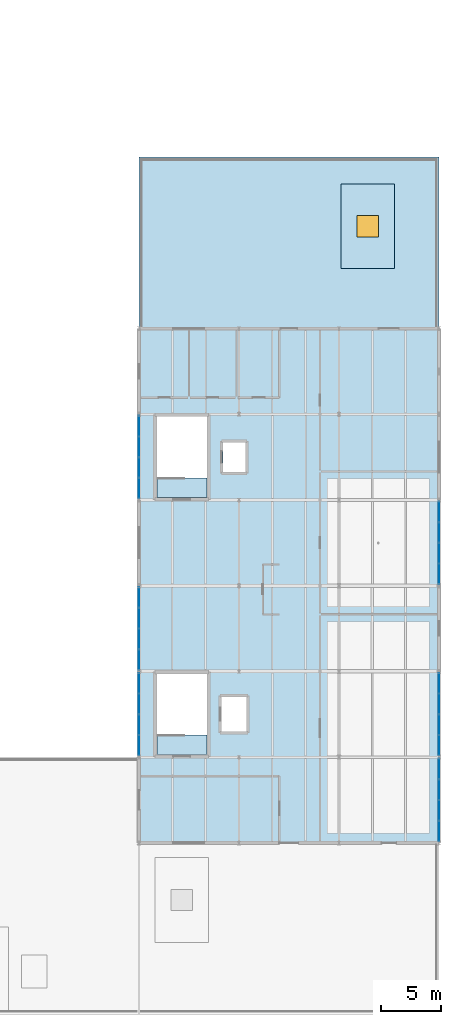
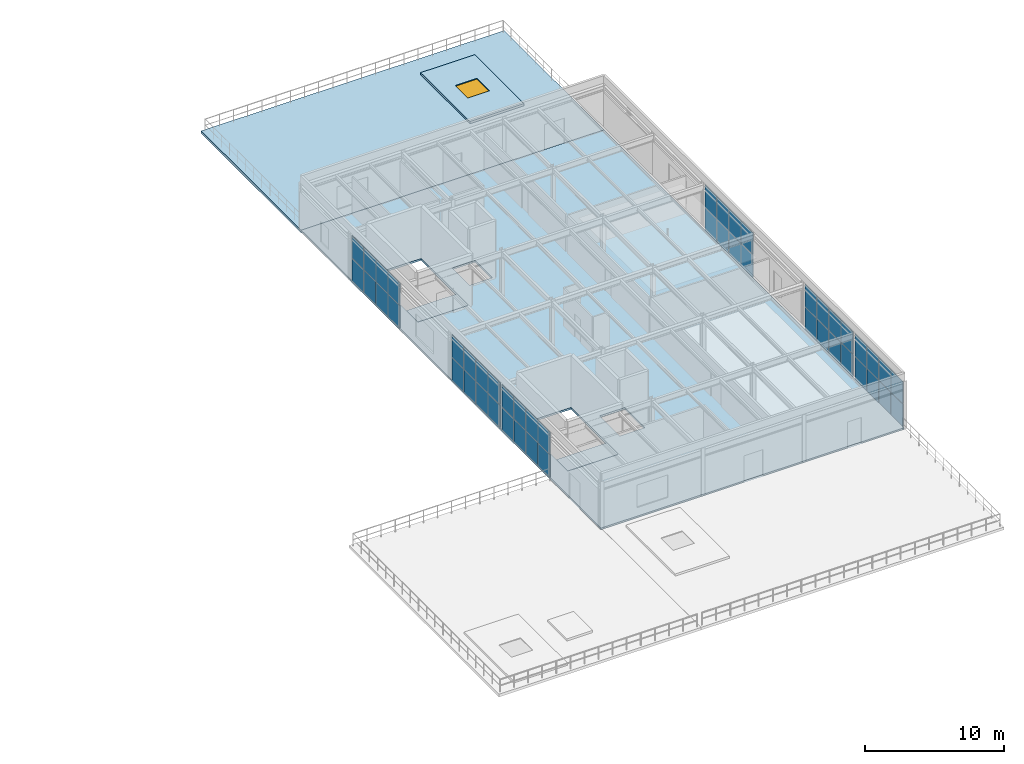
# One storey, part 68 of 77: 48 plates, 5 slabs, 1 window, 1 opening, 6 elements without a shape of their own.
"""IFC4 building model written with IfcOpenShell, lengths in metres."""

from ifc_helpers import new_model, si_unit, derived_unit, direction, frame, origin, origin_2d, place, context, subcontext, project, spatial, polyline, rectangle, outline, extrude, material, layer, layer_set, type_object, element, fill, aggregate, save


model = new_model("IFC4")

# Units and contexts
model_context = context("Model", 3, precision=1e-05, world=origin(), true_north=direction((0.0, 1.0)))
body_context = subcontext(model_context, "Body", "Model", "MODEL_VIEW")
ifc_project = project(units=[si_unit("LENGTHUNIT", "METRE"), si_unit("AREAUNIT", "SQUARE_METRE"), si_unit("VOLUMEUNIT", "CUBIC_METRE"), si_unit("PLANEANGLEUNIT", "RADIAN"), si_unit("MASSUNIT", "GRAM", prefix="KILO"), derived_unit("THERMALTRANSMITTANCEUNIT", [(si_unit("MASSUNIT", "GRAM", prefix="KILO"), 1), (si_unit("TIMEUNIT", "SECOND"), -3), (si_unit("THERMODYNAMICTEMPERATUREUNIT", "KELVIN"), -1)])], contexts=[model_context])

# Site, building, storey
site_placement = place(None, origin())
site = spatial("IfcSite", under=ifc_project, at=site_placement, CompositionType="ELEMENT")
building_placement = place(site_placement, origin())
building = spatial("IfcBuilding", under=site, at=building_placement, Name="Kharveza Railside Sports Centre", CompositionType="ELEMENT")
storey_placement = place(building_placement, frame((0.0, 0.0, 17.10009765625)))
storey = spatial("IfcBuildingStorey", under=building, at=storey_placement, Name="L04", CompositionType="ELEMENT", Elevation=17.10009765625)

# Curtain wall, plates
ifc_material_1 = material(Name="Low-E solar-control laminated glass", Category="glass")
curtain_wall_type = type_object("IfcCurtainWallType", Name="CW-WG04", PredefinedType="NOTDEFINED", material=ifc_material_1)
curtain_wall_1_placement = place(storey_placement, origin())
curtain_wall_1 = element("IfcCurtainWall", 1, at=curtain_wall_1_placement, inside=storey, type_object=curtain_wall_type, Name="CW-WG-L04-CW-WG04-X1680-Y324", PredefinedType="NOTDEFINED")
ifc_material_2 = material(Name="Anodised aluminium 6063-T6", Category="aluminium")
ifc_layer_1 = layer(ifc_material_2, 0.044921875, Name="Anodised aluminium 6063-T6")
ifc_layer_set_1 = layer_set([ifc_layer_1], Name="Anodised aluminium 6063-T6")
plate_type_1 = type_object("IfcPlateType", Name="PL-CP11", PredefinedType="CURTAIN_PANEL", material=ifc_layer_set_1)
plate_1_placement = place(storey_placement, frame((168.0, 29.7900390625, 0.02001953125), z_axis=(0.0, 0.0, 1.0), x_axis=(0.0, 1.0, 0.0)))
plate_1 = element("IfcPlate", 2, at=plate_1_placement, type_object=plate_type_1, Name="CW-WG-L04-CW-WG04-X1680-Y324-PN11", PredefinedType="CURTAIN_PANEL", context=body_context, shape_type="SweptSolid", body=[
    extrude(rectangle(XDim=1.699951171875, YDim=0.044921875, at=origin_2d()), origin(), (0.0, 0.0, 1.0), 1.965087890625),
])
plate_2_placement = place(storey_placement, frame((168.0, 31.530029296875, 0.02001953125), z_axis=(0.0, 0.0, 1.0), x_axis=(0.0, 1.0, 0.0)))
plate_2 = element("IfcPlate", 3, at=plate_2_placement, type_object=plate_type_1, Name="CW-WG-L04-CW-WG04-X1680-Y324-PN21", PredefinedType="CURTAIN_PANEL", context=body_context, shape_type="SweptSolid", body=[
    extrude(rectangle(XDim=1.699951171875, YDim=0.044921875, at=origin_2d()), origin(), (0.0, 0.0, 1.0), 1.965087890625),
])
plate_3_placement = place(storey_placement, frame((168.0, 33.27001953125, 0.02001953125), z_axis=(0.0, 0.0, 1.0), x_axis=(0.0, 1.0, 0.0)))
plate_3 = element("IfcPlate", 4, at=plate_3_placement, type_object=plate_type_1, Name="CW-WG-L04-CW-WG04-X1680-Y324-PN31", PredefinedType="CURTAIN_PANEL", context=body_context, shape_type="SweptSolid", body=[
    extrude(rectangle(XDim=1.699951171875, YDim=0.044921875, at=origin_2d()), origin(), (0.0, 0.0, 1.0), 1.965087890625),
])
plate_4_placement = place(storey_placement, frame((168.0, 35.010009765625, 0.02001953125), z_axis=(0.0, 0.0, 1.0), x_axis=(0.0, 1.0, 0.0)))
plate_4 = element("IfcPlate", 5, at=plate_4_placement, type_object=plate_type_1, Name="CW-WG-L04-CW-WG04-X1680-Y324-PN41", PredefinedType="CURTAIN_PANEL", context=body_context, shape_type="SweptSolid", body=[
    extrude(rectangle(XDim=1.699951171875, YDim=0.044921875, at=origin_2d()), origin(), (0.0, 0.0, 1.0), 1.965087890625),
])

curtain_wall_2_placement = place(storey_placement, origin())
curtain_wall_2 = element("IfcCurtainWall", 6, at=curtain_wall_2_placement, inside=storey, type_object=curtain_wall_type, Name="CW-WG-L04-CW-WG04-X1680-Y396", PredefinedType="NOTDEFINED")
plate_5_placement = place(storey_placement, frame((168.0, 36.989990234375, 0.02001953125), z_axis=(0.0, 0.0, 1.0), x_axis=(0.0, 1.0, 0.0)))
plate_5 = element("IfcPlate", 7, at=plate_5_placement, type_object=plate_type_1, Name="CW-WG-L04-CW-WG04-X1680-Y396-PN11", PredefinedType="CURTAIN_PANEL", context=body_context, shape_type="SweptSolid", body=[
    extrude(rectangle(XDim=1.699951171875, YDim=0.044921875, at=origin_2d()), origin(), (0.0, 0.0, 1.0), 1.965087890625),
])
plate_6_placement = place(storey_placement, frame((168.0, 38.72998046875, 0.02001953125), z_axis=(0.0, 0.0, 1.0), x_axis=(0.0, 1.0, 0.0)))
plate_6 = element("IfcPlate", 8, at=plate_6_placement, type_object=plate_type_1, Name="CW-WG-L04-CW-WG04-X1680-Y396-PN21", PredefinedType="CURTAIN_PANEL", context=body_context, shape_type="SweptSolid", body=[
    extrude(rectangle(XDim=1.699951171875, YDim=0.044921875, at=origin_2d()), origin(), (0.0, 0.0, 1.0), 1.965087890625),
])
plate_7_placement = place(storey_placement, frame((168.0, 40.469970703125, 0.02001953125), z_axis=(0.0, 0.0, 1.0), x_axis=(0.0, 1.0, 0.0)))
plate_7 = element("IfcPlate", 9, at=plate_7_placement, type_object=plate_type_1, Name="CW-WG-L04-CW-WG04-X1680-Y396-PN31", PredefinedType="CURTAIN_PANEL", context=body_context, shape_type="SweptSolid", body=[
    extrude(rectangle(XDim=1.699951171875, YDim=0.044921875, at=origin_2d()), origin(), (0.0, 0.0, 1.0), 1.965087890625),
])
plate_8_placement = place(storey_placement, frame((168.0, 42.2099609375, 0.02001953125), z_axis=(0.0, 0.0, 1.0), x_axis=(0.0, 1.0, 0.0)))
plate_8 = element("IfcPlate", 10, at=plate_8_placement, type_object=plate_type_1, Name="CW-WG-L04-CW-WG04-X1680-Y396-PN41", PredefinedType="CURTAIN_PANEL", context=body_context, shape_type="SweptSolid", body=[
    extrude(rectangle(XDim=1.699951171875, YDim=0.044921875, at=origin_2d()), origin(), (0.0, 0.0, 1.0), 1.965087890625),
])

curtain_wall_3_placement = place(storey_placement, origin())
curtain_wall_3 = element("IfcCurtainWall", 11, at=curtain_wall_3_placement, inside=storey, type_object=curtain_wall_type, Name="CW-WG-L04-CW-WG04-X1680-Y540", PredefinedType="NOTDEFINED")
plate_9_placement = place(storey_placement, frame((168.0, 51.389892578125, 0.02001953125), z_axis=(0.0, 0.0, 1.0), x_axis=(0.0, 1.0, 0.0)))
plate_9 = element("IfcPlate", 12, at=plate_9_placement, type_object=plate_type_1, Name="CW-WG-L04-CW-WG04-X1680-Y540-PN11", PredefinedType="CURTAIN_PANEL", context=body_context, shape_type="SweptSolid", body=[
    extrude(rectangle(XDim=1.699951171875, YDim=0.044921875, at=origin_2d()), origin(), (0.0, 0.0, 1.0), 1.965087890625),
])
plate_10_placement = place(storey_placement, frame((168.0, 53.1298828125, 0.02001953125), z_axis=(0.0, 0.0, 1.0), x_axis=(0.0, 1.0, 0.0)))
plate_10 = element("IfcPlate", 13, at=plate_10_placement, type_object=plate_type_1, Name="CW-WG-L04-CW-WG04-X1680-Y540-PN21", PredefinedType="CURTAIN_PANEL", context=body_context, shape_type="SweptSolid", body=[
    extrude(rectangle(XDim=1.699951171875, YDim=0.044921875, at=origin_2d()), origin(), (0.0, 0.0, 1.0), 1.965087890625),
])
plate_11_placement = place(storey_placement, frame((168.0, 54.8701171875, 0.02001953125), z_axis=(0.0, 0.0, 1.0), x_axis=(0.0, 1.0, 0.0)))
plate_11 = element("IfcPlate", 14, at=plate_11_placement, type_object=plate_type_1, Name="CW-WG-L04-CW-WG04-X1680-Y540-PN31", PredefinedType="CURTAIN_PANEL", context=body_context, shape_type="SweptSolid", body=[
    extrude(rectangle(XDim=1.699951171875, YDim=0.044921875, at=origin_2d()), origin(), (0.0, 0.0, 1.0), 1.965087890625),
])
plate_12_placement = place(storey_placement, frame((168.0, 56.610107421875, 0.02001953125), z_axis=(0.0, 0.0, 1.0), x_axis=(0.0, 1.0, 0.0)))
plate_12 = element("IfcPlate", 15, at=plate_12_placement, type_object=plate_type_1, Name="CW-WG-L04-CW-WG04-X1680-Y540-PN41", PredefinedType="CURTAIN_PANEL", context=body_context, shape_type="SweptSolid", body=[
    extrude(rectangle(XDim=1.699951171875, YDim=0.044921875, at=origin_2d()), origin(), (0.0, 0.0, 1.0), 1.965087890625),
])

curtain_wall_4_placement = place(storey_placement, origin())
curtain_wall_4 = element("IfcCurtainWall", 16, at=curtain_wall_4_placement, inside=storey, type_object=curtain_wall_type, Name="CW-WG-L04-CW-WG04-X1428-Y612", PredefinedType="NOTDEFINED")
plate_13_placement = place(storey_placement, frame((142.800048828125, 63.81005859375, 0.02001953125), z_axis=(0.0, 0.0, 1.0), x_axis=(0.0, -1.0, 0.0)))
plate_13 = element("IfcPlate", 17, at=plate_13_placement, type_object=plate_type_1, Name="CW-WG-L04-CW-WG04-X1428-Y612-PN11", PredefinedType="CURTAIN_PANEL", context=body_context, shape_type="SweptSolid", body=[
    extrude(rectangle(XDim=1.699951171875, YDim=0.044921875, at=origin_2d()), origin(), (0.0, 0.0, 1.0), 1.965087890625),
])
plate_14_placement = place(storey_placement, frame((142.800048828125, 62.070068359375, 0.02001953125), z_axis=(0.0, 0.0, 1.0), x_axis=(0.0, -1.0, 0.0)))
plate_14 = element("IfcPlate", 18, at=plate_14_placement, type_object=plate_type_1, Name="CW-WG-L04-CW-WG04-X1428-Y612-PN21", PredefinedType="CURTAIN_PANEL", context=body_context, shape_type="SweptSolid", body=[
    extrude(rectangle(XDim=1.699951171875, YDim=0.044921875, at=origin_2d()), origin(), (0.0, 0.0, 1.0), 1.965087890625),
])
plate_15_placement = place(storey_placement, frame((142.800048828125, 60.330078125, 0.02001953125), z_axis=(0.0, 0.0, 1.0), x_axis=(0.0, -1.0, 0.0)))
plate_15 = element("IfcPlate", 19, at=plate_15_placement, type_object=plate_type_1, Name="CW-WG-L04-CW-WG04-X1428-Y612-PN31", PredefinedType="CURTAIN_PANEL", context=body_context, shape_type="SweptSolid", body=[
    extrude(rectangle(XDim=1.699951171875, YDim=0.044921875, at=origin_2d()), origin(), (0.0, 0.0, 1.0), 1.965087890625),
])
plate_16_placement = place(storey_placement, frame((142.800048828125, 58.590087890625, 0.02001953125), z_axis=(0.0, 0.0, 1.0), x_axis=(0.0, -1.0, 0.0)))
plate_16 = element("IfcPlate", 20, at=plate_16_placement, type_object=plate_type_1, Name="CW-WG-L04-CW-WG04-X1428-Y612-PN41", PredefinedType="CURTAIN_PANEL", context=body_context, shape_type="SweptSolid", body=[
    extrude(rectangle(XDim=1.699951171875, YDim=0.044921875, at=origin_2d()), origin(), (0.0, 0.0, 1.0), 1.965087890625),
])

curtain_wall_5_placement = place(storey_placement, origin())
curtain_wall_5 = element("IfcCurtainWall", 21, at=curtain_wall_5_placement, inside=storey, type_object=curtain_wall_type, Name="CW-WG-L04-CW-WG04-X1428-Y468", PredefinedType="NOTDEFINED")
plate_17_placement = place(storey_placement, frame((142.800048828125, 49.409912109375, 0.02001953125), z_axis=(0.0, 0.0, 1.0), x_axis=(0.0, -1.0, 0.0)))
plate_17 = element("IfcPlate", 22, at=plate_17_placement, type_object=plate_type_1, Name="CW-WG-L04-CW-WG04-X1428-Y468-PN11", PredefinedType="CURTAIN_PANEL", context=body_context, shape_type="SweptSolid", body=[
    extrude(rectangle(XDim=1.699951171875, YDim=0.044921875, at=origin_2d()), origin(), (0.0, 0.0, 1.0), 1.965087890625),
])
plate_18_placement = place(storey_placement, frame((142.800048828125, 47.669921875, 0.02001953125), z_axis=(0.0, 0.0, 1.0), x_axis=(0.0, -1.0, 0.0)))
plate_18 = element("IfcPlate", 23, at=plate_18_placement, type_object=plate_type_1, Name="CW-WG-L04-CW-WG04-X1428-Y468-PN21", PredefinedType="CURTAIN_PANEL", context=body_context, shape_type="SweptSolid", body=[
    extrude(rectangle(XDim=1.699951171875, YDim=0.044921875, at=origin_2d()), origin(), (0.0, 0.0, 1.0), 1.965087890625),
])
plate_19_placement = place(storey_placement, frame((142.800048828125, 45.929931640625, 0.02001953125), z_axis=(0.0, 0.0, 1.0), x_axis=(0.0, -1.0, 0.0)))
plate_19 = element("IfcPlate", 24, at=plate_19_placement, type_object=plate_type_1, Name="CW-WG-L04-CW-WG04-X1428-Y468-PN31", PredefinedType="CURTAIN_PANEL", context=body_context, shape_type="SweptSolid", body=[
    extrude(rectangle(XDim=1.699951171875, YDim=0.044921875, at=origin_2d()), origin(), (0.0, 0.0, 1.0), 1.965087890625),
])
plate_20_placement = place(storey_placement, frame((142.800048828125, 44.18994140625, 0.02001953125), z_axis=(0.0, 0.0, 1.0), x_axis=(0.0, -1.0, 0.0)))
plate_20 = element("IfcPlate", 25, at=plate_20_placement, type_object=plate_type_1, Name="CW-WG-L04-CW-WG04-X1428-Y468-PN41", PredefinedType="CURTAIN_PANEL", context=body_context, shape_type="SweptSolid", body=[
    extrude(rectangle(XDim=1.699951171875, YDim=0.044921875, at=origin_2d()), origin(), (0.0, 0.0, 1.0), 1.965087890625),
])

curtain_wall_6_placement = place(storey_placement, origin())
curtain_wall_6 = element("IfcCurtainWall", 26, at=curtain_wall_6_placement, inside=storey, type_object=curtain_wall_type, Name="CW-WG-L04-CW-WG04-X1428-Y396", PredefinedType="NOTDEFINED")
plate_21_placement = place(storey_placement, frame((142.800048828125, 42.2099609375, 0.02001953125), z_axis=(0.0, 0.0, 1.0), x_axis=(0.0, -1.0, 0.0)))
plate_21 = element("IfcPlate", 27, at=plate_21_placement, type_object=plate_type_1, Name="CW-WG-L04-CW-WG04-X1428-Y396-PN11", PredefinedType="CURTAIN_PANEL", context=body_context, shape_type="SweptSolid", body=[
    extrude(rectangle(XDim=1.699951171875, YDim=0.044921875, at=origin_2d()), origin(), (0.0, 0.0, 1.0), 1.965087890625),
])
plate_22_placement = place(storey_placement, frame((142.800048828125, 40.469970703125, 0.02001953125), z_axis=(0.0, 0.0, 1.0), x_axis=(0.0, -1.0, 0.0)))
plate_22 = element("IfcPlate", 28, at=plate_22_placement, type_object=plate_type_1, Name="CW-WG-L04-CW-WG04-X1428-Y396-PN21", PredefinedType="CURTAIN_PANEL", context=body_context, shape_type="SweptSolid", body=[
    extrude(rectangle(XDim=1.699951171875, YDim=0.044921875, at=origin_2d()), origin(), (0.0, 0.0, 1.0), 1.965087890625),
])
plate_23_placement = place(storey_placement, frame((142.800048828125, 38.72998046875, 0.02001953125), z_axis=(0.0, 0.0, 1.0), x_axis=(0.0, -1.0, 0.0)))
plate_23 = element("IfcPlate", 29, at=plate_23_placement, type_object=plate_type_1, Name="CW-WG-L04-CW-WG04-X1428-Y396-PN31", PredefinedType="CURTAIN_PANEL", context=body_context, shape_type="SweptSolid", body=[
    extrude(rectangle(XDim=1.699951171875, YDim=0.044921875, at=origin_2d()), origin(), (0.0, 0.0, 1.0), 1.965087890625),
])
plate_24_placement = place(storey_placement, frame((142.800048828125, 36.989990234375, 0.02001953125), z_axis=(0.0, 0.0, 1.0), x_axis=(0.0, -1.0, 0.0)))
plate_24 = element("IfcPlate", 30, at=plate_24_placement, type_object=plate_type_1, Name="CW-WG-L04-CW-WG04-X1428-Y396-PN41", PredefinedType="CURTAIN_PANEL", context=body_context, shape_type="SweptSolid", body=[
    extrude(rectangle(XDim=1.699951171875, YDim=0.044921875, at=origin_2d()), origin(), (0.0, 0.0, 1.0), 1.965087890625),
])

# Plate
ifc_layer_2 = layer(ifc_material_1, 0.035888671875, Name="Low-E solar-control laminated glass")
ifc_layer_set_2 = layer_set([ifc_layer_2], Name="Low-E solar-control laminated glass")
plate_type_2 = type_object("IfcPlateType", Name="PL-CP12", PredefinedType="CURTAIN_PANEL", material=ifc_layer_set_2)
plate_25_placement = place(storey_placement, frame((168.0, 29.7900390625, 2.02490234375), z_axis=(0.0, 0.0, 1.0), x_axis=(0.0, 1.0, 0.0)))
plate_25 = element("IfcPlate", 31, at=plate_25_placement, type_object=plate_type_2, Name="CW-WG-L04-CW-WG04-X1680-Y324-PN12", PredefinedType="CURTAIN_PANEL", context=body_context, shape_type="SweptSolid", body=[
    extrude(rectangle(XDim=1.699951171875, YDim=0.035888671875, at=origin_2d()), origin(), (0.0, 0.0, 1.0), 1.965087890625),
])

plate_26_placement = place(storey_placement, frame((168.0, 31.530029296875, 2.02490234375), z_axis=(0.0, 0.0, 1.0), x_axis=(0.0, 1.0, 0.0)))
plate_26 = element("IfcPlate", 32, at=plate_26_placement, type_object=plate_type_2, Name="CW-WG-L04-CW-WG04-X1680-Y324-PN22", PredefinedType="CURTAIN_PANEL", context=body_context, shape_type="SweptSolid", body=[
    extrude(rectangle(XDim=1.699951171875, YDim=0.035888671875, at=origin_2d()), origin(), (0.0, 0.0, 1.0), 1.965087890625),
])

plate_27_placement = place(storey_placement, frame((168.0, 33.27001953125, 2.02490234375), z_axis=(0.0, 0.0, 1.0), x_axis=(0.0, 1.0, 0.0)))
plate_27 = element("IfcPlate", 33, at=plate_27_placement, type_object=plate_type_2, Name="CW-WG-L04-CW-WG04-X1680-Y324-PN32", PredefinedType="CURTAIN_PANEL", context=body_context, shape_type="SweptSolid", body=[
    extrude(rectangle(XDim=1.699951171875, YDim=0.035888671875, at=origin_2d()), origin(), (0.0, 0.0, 1.0), 1.965087890625),
])

plate_28_placement = place(storey_placement, frame((168.0, 35.010009765625, 2.02490234375), z_axis=(0.0, 0.0, 1.0), x_axis=(0.0, 1.0, 0.0)))
plate_28 = element("IfcPlate", 34, at=plate_28_placement, type_object=plate_type_2, Name="CW-WG-L04-CW-WG04-X1680-Y324-PN42", PredefinedType="CURTAIN_PANEL", context=body_context, shape_type="SweptSolid", body=[
    extrude(rectangle(XDim=1.699951171875, YDim=0.035888671875, at=origin_2d()), origin(), (0.0, 0.0, 1.0), 1.965087890625),
])

aggregate(curtain_wall_1, [plate_1, plate_25, plate_2, plate_26, plate_3, plate_27, plate_4, plate_28])

plate_29_placement = place(storey_placement, frame((168.0, 36.989990234375, 2.02490234375), z_axis=(0.0, 0.0, 1.0), x_axis=(0.0, 1.0, 0.0)))
plate_29 = element("IfcPlate", 35, at=plate_29_placement, type_object=plate_type_2, Name="CW-WG-L04-CW-WG04-X1680-Y396-PN12", PredefinedType="CURTAIN_PANEL", context=body_context, shape_type="SweptSolid", body=[
    extrude(rectangle(XDim=1.699951171875, YDim=0.035888671875, at=origin_2d()), origin(), (0.0, 0.0, 1.0), 1.965087890625),
])

plate_30_placement = place(storey_placement, frame((168.0, 38.72998046875, 2.02490234375), z_axis=(0.0, 0.0, 1.0), x_axis=(0.0, 1.0, 0.0)))
plate_30 = element("IfcPlate", 36, at=plate_30_placement, type_object=plate_type_2, Name="CW-WG-L04-CW-WG04-X1680-Y396-PN22", PredefinedType="CURTAIN_PANEL", context=body_context, shape_type="SweptSolid", body=[
    extrude(rectangle(XDim=1.699951171875, YDim=0.035888671875, at=origin_2d()), origin(), (0.0, 0.0, 1.0), 1.965087890625),
])

plate_31_placement = place(storey_placement, frame((168.0, 40.469970703125, 2.02490234375), z_axis=(0.0, 0.0, 1.0), x_axis=(0.0, 1.0, 0.0)))
plate_31 = element("IfcPlate", 37, at=plate_31_placement, type_object=plate_type_2, Name="CW-WG-L04-CW-WG04-X1680-Y396-PN32", PredefinedType="CURTAIN_PANEL", context=body_context, shape_type="SweptSolid", body=[
    extrude(rectangle(XDim=1.699951171875, YDim=0.035888671875, at=origin_2d()), origin(), (0.0, 0.0, 1.0), 1.965087890625),
])

plate_32_placement = place(storey_placement, frame((168.0, 42.2099609375, 2.02490234375), z_axis=(0.0, 0.0, 1.0), x_axis=(0.0, 1.0, 0.0)))
plate_32 = element("IfcPlate", 38, at=plate_32_placement, type_object=plate_type_2, Name="CW-WG-L04-CW-WG04-X1680-Y396-PN42", PredefinedType="CURTAIN_PANEL", context=body_context, shape_type="SweptSolid", body=[
    extrude(rectangle(XDim=1.699951171875, YDim=0.035888671875, at=origin_2d()), origin(), (0.0, 0.0, 1.0), 1.965087890625),
])

aggregate(curtain_wall_2, [plate_5, plate_29, plate_6, plate_30, plate_7, plate_31, plate_8, plate_32])

plate_33_placement = place(storey_placement, frame((168.0, 51.389892578125, 2.02490234375), z_axis=(0.0, 0.0, 1.0), x_axis=(0.0, 1.0, 0.0)))
plate_33 = element("IfcPlate", 39, at=plate_33_placement, type_object=plate_type_2, Name="CW-WG-L04-CW-WG04-X1680-Y540-PN12", PredefinedType="CURTAIN_PANEL", context=body_context, shape_type="SweptSolid", body=[
    extrude(rectangle(XDim=1.699951171875, YDim=0.035888671875, at=origin_2d()), origin(), (0.0, 0.0, 1.0), 1.965087890625),
])

plate_34_placement = place(storey_placement, frame((168.0, 53.1298828125, 2.02490234375), z_axis=(0.0, 0.0, 1.0), x_axis=(0.0, 1.0, 0.0)))
plate_34 = element("IfcPlate", 40, at=plate_34_placement, type_object=plate_type_2, Name="CW-WG-L04-CW-WG04-X1680-Y540-PN22", PredefinedType="CURTAIN_PANEL", context=body_context, shape_type="SweptSolid", body=[
    extrude(rectangle(XDim=1.699951171875, YDim=0.035888671875, at=origin_2d()), origin(), (0.0, 0.0, 1.0), 1.965087890625),
])

plate_35_placement = place(storey_placement, frame((168.0, 54.8701171875, 2.02490234375), z_axis=(0.0, 0.0, 1.0), x_axis=(0.0, 1.0, 0.0)))
plate_35 = element("IfcPlate", 41, at=plate_35_placement, type_object=plate_type_2, Name="CW-WG-L04-CW-WG04-X1680-Y540-PN32", PredefinedType="CURTAIN_PANEL", context=body_context, shape_type="SweptSolid", body=[
    extrude(rectangle(XDim=1.699951171875, YDim=0.035888671875, at=origin_2d()), origin(), (0.0, 0.0, 1.0), 1.965087890625),
])

plate_36_placement = place(storey_placement, frame((168.0, 56.610107421875, 2.02490234375), z_axis=(0.0, 0.0, 1.0), x_axis=(0.0, 1.0, 0.0)))
plate_36 = element("IfcPlate", 42, at=plate_36_placement, type_object=plate_type_2, Name="CW-WG-L04-CW-WG04-X1680-Y540-PN42", PredefinedType="CURTAIN_PANEL", context=body_context, shape_type="SweptSolid", body=[
    extrude(rectangle(XDim=1.699951171875, YDim=0.035888671875, at=origin_2d()), origin(), (0.0, 0.0, 1.0), 1.965087890625),
])

aggregate(curtain_wall_3, [plate_9, plate_33, plate_10, plate_34, plate_11, plate_35, plate_12, plate_36])

plate_37_placement = place(storey_placement, frame((142.800048828125, 63.81005859375, 2.02490234375), z_axis=(0.0, 0.0, 1.0), x_axis=(0.0, -1.0, 0.0)))
plate_37 = element("IfcPlate", 43, at=plate_37_placement, type_object=plate_type_2, Name="CW-WG-L04-CW-WG04-X1428-Y612-PN12", PredefinedType="CURTAIN_PANEL", context=body_context, shape_type="SweptSolid", body=[
    extrude(rectangle(XDim=1.699951171875, YDim=0.035888671875, at=origin_2d()), origin(), (0.0, 0.0, 1.0), 1.965087890625),
])

plate_38_placement = place(storey_placement, frame((142.800048828125, 62.070068359375, 2.02490234375), z_axis=(0.0, 0.0, 1.0), x_axis=(0.0, -1.0, 0.0)))
plate_38 = element("IfcPlate", 44, at=plate_38_placement, type_object=plate_type_2, Name="CW-WG-L04-CW-WG04-X1428-Y612-PN22", PredefinedType="CURTAIN_PANEL", context=body_context, shape_type="SweptSolid", body=[
    extrude(rectangle(XDim=1.699951171875, YDim=0.035888671875, at=origin_2d()), origin(), (0.0, 0.0, 1.0), 1.965087890625),
])

plate_39_placement = place(storey_placement, frame((142.800048828125, 60.330078125, 2.02490234375), z_axis=(0.0, 0.0, 1.0), x_axis=(0.0, -1.0, 0.0)))
plate_39 = element("IfcPlate", 45, at=plate_39_placement, type_object=plate_type_2, Name="CW-WG-L04-CW-WG04-X1428-Y612-PN32", PredefinedType="CURTAIN_PANEL", context=body_context, shape_type="SweptSolid", body=[
    extrude(rectangle(XDim=1.699951171875, YDim=0.035888671875, at=origin_2d()), origin(), (0.0, 0.0, 1.0), 1.965087890625),
])

plate_40_placement = place(storey_placement, frame((142.800048828125, 58.590087890625, 2.02490234375), z_axis=(0.0, 0.0, 1.0), x_axis=(0.0, -1.0, 0.0)))
plate_40 = element("IfcPlate", 46, at=plate_40_placement, type_object=plate_type_2, Name="CW-WG-L04-CW-WG04-X1428-Y612-PN42", PredefinedType="CURTAIN_PANEL", context=body_context, shape_type="SweptSolid", body=[
    extrude(rectangle(XDim=1.699951171875, YDim=0.035888671875, at=origin_2d()), origin(), (0.0, 0.0, 1.0), 1.965087890625),
])

aggregate(curtain_wall_4, [plate_13, plate_37, plate_14, plate_38, plate_15, plate_39, plate_16, plate_40])

plate_41_placement = place(storey_placement, frame((142.800048828125, 49.409912109375, 2.02490234375), z_axis=(0.0, 0.0, 1.0), x_axis=(0.0, -1.0, 0.0)))
plate_41 = element("IfcPlate", 47, at=plate_41_placement, type_object=plate_type_2, Name="CW-WG-L04-CW-WG04-X1428-Y468-PN12", PredefinedType="CURTAIN_PANEL", context=body_context, shape_type="SweptSolid", body=[
    extrude(rectangle(XDim=1.699951171875, YDim=0.035888671875, at=origin_2d()), origin(), (0.0, 0.0, 1.0), 1.965087890625),
])

plate_42_placement = place(storey_placement, frame((142.800048828125, 47.669921875, 2.02490234375), z_axis=(0.0, 0.0, 1.0), x_axis=(0.0, -1.0, 0.0)))
plate_42 = element("IfcPlate", 48, at=plate_42_placement, type_object=plate_type_2, Name="CW-WG-L04-CW-WG04-X1428-Y468-PN22", PredefinedType="CURTAIN_PANEL", context=body_context, shape_type="SweptSolid", body=[
    extrude(rectangle(XDim=1.699951171875, YDim=0.035888671875, at=origin_2d()), origin(), (0.0, 0.0, 1.0), 1.965087890625),
])

plate_43_placement = place(storey_placement, frame((142.800048828125, 45.929931640625, 2.02490234375), z_axis=(0.0, 0.0, 1.0), x_axis=(0.0, -1.0, 0.0)))
plate_43 = element("IfcPlate", 49, at=plate_43_placement, type_object=plate_type_2, Name="CW-WG-L04-CW-WG04-X1428-Y468-PN32", PredefinedType="CURTAIN_PANEL", context=body_context, shape_type="SweptSolid", body=[
    extrude(rectangle(XDim=1.699951171875, YDim=0.035888671875, at=origin_2d()), origin(), (0.0, 0.0, 1.0), 1.965087890625),
])

plate_44_placement = place(storey_placement, frame((142.800048828125, 44.18994140625, 2.02490234375), z_axis=(0.0, 0.0, 1.0), x_axis=(0.0, -1.0, 0.0)))
plate_44 = element("IfcPlate", 50, at=plate_44_placement, type_object=plate_type_2, Name="CW-WG-L04-CW-WG04-X1428-Y468-PN42", PredefinedType="CURTAIN_PANEL", context=body_context, shape_type="SweptSolid", body=[
    extrude(rectangle(XDim=1.699951171875, YDim=0.035888671875, at=origin_2d()), origin(), (0.0, 0.0, 1.0), 1.965087890625),
])

aggregate(curtain_wall_5, [plate_17, plate_41, plate_18, plate_42, plate_19, plate_43, plate_20, plate_44])

plate_45_placement = place(storey_placement, frame((142.800048828125, 42.2099609375, 2.02490234375), z_axis=(0.0, 0.0, 1.0), x_axis=(0.0, -1.0, 0.0)))
plate_45 = element("IfcPlate", 51, at=plate_45_placement, type_object=plate_type_2, Name="CW-WG-L04-CW-WG04-X1428-Y396-PN12", PredefinedType="CURTAIN_PANEL", context=body_context, shape_type="SweptSolid", body=[
    extrude(rectangle(XDim=1.699951171875, YDim=0.035888671875, at=origin_2d()), origin(), (0.0, 0.0, 1.0), 1.965087890625),
])

plate_46_placement = place(storey_placement, frame((142.800048828125, 40.469970703125, 2.02490234375), z_axis=(0.0, 0.0, 1.0), x_axis=(0.0, -1.0, 0.0)))
plate_46 = element("IfcPlate", 52, at=plate_46_placement, type_object=plate_type_2, Name="CW-WG-L04-CW-WG04-X1428-Y396-PN22", PredefinedType="CURTAIN_PANEL", context=body_context, shape_type="SweptSolid", body=[
    extrude(rectangle(XDim=1.699951171875, YDim=0.035888671875, at=origin_2d()), origin(), (0.0, 0.0, 1.0), 1.965087890625),
])

plate_47_placement = place(storey_placement, frame((142.800048828125, 38.72998046875, 2.02490234375), z_axis=(0.0, 0.0, 1.0), x_axis=(0.0, -1.0, 0.0)))
plate_47 = element("IfcPlate", 53, at=plate_47_placement, type_object=plate_type_2, Name="CW-WG-L04-CW-WG04-X1428-Y396-PN32", PredefinedType="CURTAIN_PANEL", context=body_context, shape_type="SweptSolid", body=[
    extrude(rectangle(XDim=1.699951171875, YDim=0.035888671875, at=origin_2d()), origin(), (0.0, 0.0, 1.0), 1.965087890625),
])

plate_48_placement = place(storey_placement, frame((142.800048828125, 36.989990234375, 2.02490234375), z_axis=(0.0, 0.0, 1.0), x_axis=(0.0, -1.0, 0.0)))
plate_48 = element("IfcPlate", 54, at=plate_48_placement, type_object=plate_type_2, Name="CW-WG-L04-CW-WG04-X1428-Y396-PN42", PredefinedType="CURTAIN_PANEL", context=body_context, shape_type="SweptSolid", body=[
    extrude(rectangle(XDim=1.699951171875, YDim=0.035888671875, at=origin_2d()), origin(), (0.0, 0.0, 1.0), 1.965087890625),
])

aggregate(curtain_wall_6, [plate_21, plate_45, plate_22, plate_46, plate_23, plate_47, plate_24, plate_48])

# Slabs
ifc_material_3 = material(Name="Concrete C35/45", Category="concrete")
ifc_layer_3 = layer(ifc_material_3, 0.1650390625, Name="Concrete C35/45")
ifc_layer_set_3 = layer_set([ifc_layer_3], Name="Concrete C35/45")
slab_type_1 = type_object("IfcSlabType", Name="SL-FL165", PredefinedType="FLOOR", material=ifc_layer_set_3)
slab_1_placement = place(storey_placement, frame((0.0, 0.0, -0.1650390625)))
element("IfcSlab", 55, at=slab_1_placement, inside=storey, type_object=slab_type_1, Name="SLB-L04-IND-01", PredefinedType="FLOOR", context=body_context, shape_type="SweptSolid", body=[
    extrude(outline(polyline([(142.800048828125, 28.800048828125), (142.800048828125, 72.0), (168.0, 72.0), (168.0, 28.800048828125), (142.800048828125, 28.800048828125)]), holes=[polyline([(144.300048828125, 36.199951171875), (148.5, 36.199951171875), (148.5, 43.0), (144.300048828125, 43.0), (144.300048828125, 36.199951171875)]), polyline([(144.300048828125, 64.60009765625), (144.300048828125, 57.800048828125), (148.5, 57.800048828125), (148.5, 64.60009765625), (144.300048828125, 64.60009765625)]), polyline([(151.85009765625, 41.050048828125), (149.75, 41.050048828125), (149.75, 38.14990234375), (151.85009765625, 38.14990234375), (151.85009765625, 41.050048828125)]), polyline([(151.75, 59.949951171875), (151.75, 62.449951171875), (149.85009765625, 62.449951171875), (149.85009765625, 59.949951171875), (151.75, 59.949951171875)])]), origin(), (0.0, 0.0, 1.0), 0.1650390625),
])
ifc_layer_4 = layer(ifc_material_3, 0.18505859375, Name="Concrete C35/45")
ifc_layer_set_4 = layer_set([ifc_layer_4], Name="Concrete C35/45")
slab_type_2 = type_object("IfcSlabType", Name="SL-LD185", PredefinedType="LANDING", material=ifc_layer_set_4)
slab_2_placement = place(storey_placement, frame((0.0, 0.0, -0.18505859375)))
element("IfcSlab", 56, at=slab_2_placement, inside=storey, type_object=slab_type_2, Name="SLB-STLND-FLR-ST1-L04", PredefinedType="LANDING", context=body_context, shape_type="SweptSolid", body=[
    extrude(outline(polyline([(144.304931640625, 36.205078125), (148.4951171875, 36.205078125), (148.4951171875, 37.860107421875), (144.304931640625, 37.860107421875), (144.304931640625, 36.205078125)])), origin(), (0.0, 0.0, 1.0), 0.18505859375),
])
slab_3_placement = place(storey_placement, frame((0.0, 0.0, -0.18505859375)))
element("IfcSlab", 57, at=slab_3_placement, inside=storey, type_object=slab_type_2, Name="SLB-STLND-FLR-ST2-L04", PredefinedType="LANDING", context=body_context, shape_type="SweptSolid", body=[
    extrude(outline(polyline([(144.304931640625, 57.804931640625), (148.4951171875, 57.804931640625), (148.4951171875, 59.4599609375), (144.304931640625, 59.4599609375), (144.304931640625, 57.804931640625)])), origin(), (0.0, 0.0, 1.0), 0.18505859375),
])

# Slab, opening, window
ifc_material_4 = material(Name="Insulated standing-seam zinc-aluminium roof panel", Category="aluminium")
ifc_layer_5 = layer(ifc_material_4, 0.18994140625, Name="Insulated standing-seam zinc-aluminium roof panel")
ifc_layer_set_5 = layer_set([ifc_layer_5], Name="Insulated standing-seam zinc-aluminium roof panel")
slab_type_3 = type_object("IfcSlabType", Name="SL-RF190", PredefinedType="ROOF", material=ifc_layer_set_5)
slab_4_placement = place(storey_placement, frame((0.0, 0.0, 0.35986328125)))
slab_4 = element("IfcSlab", 58, at=slab_4_placement, inside=storey, type_object=slab_type_3, Name="SLB-STCAP-ST4", PredefinedType="ROOF", context=body_context, shape_type="SweptSolid", body=[
    extrude(outline(polyline([(159.75, 77.050048828125), (164.25, 77.050048828125), (164.25, 84.14990234375), (159.75, 84.14990234375), (159.75, 77.050048828125)])), origin(), (0.0, 0.0, 1.0), 0.18994140625),
])
opening_placement = place(slab_4_placement, frame((162.0, 80.60009765625, -0.02490234375)))
opening = element("IfcOpeningElement", 59, at=opening_placement, cuts=slab_4, Name="Opening SK03", PredefinedType="OPENING", context=body_context, shape_type="SweptSolid", body=[
    extrude(rectangle(XDim=1.800048828125, YDim=1.800048828125, at=origin_2d()), origin(), (0.0, 0.0, 1.0), 0.23974609375),
])
window_type = type_object("IfcWindowType", Name="WN-SK03", PartitioningType="SINGLE_PANEL", PredefinedType="SKYLIGHT", material=ifc_material_1)
window_placement = place(slab_4_placement, frame((162.0, 80.60009765625, 0.06982421875)))
window = element("IfcWindow", 60, at=window_placement, inside=storey, type_object=window_type, Name="WN-SK-ST-ST4", OverallHeight=1.800048828125, OverallWidth=1.800048828125, PartitioningType="SINGLE_PANEL", PredefinedType="SKYLIGHT", context=body_context, shape_type="SweptSolid", body=[
    extrude(rectangle(XDim=1.800048828125, YDim=1.800048828125, at=origin_2d()), origin(), (0.0, 0.0, 1.0), 0.050048828125),
])
fill(opening, window)

# Slab
ifc_layer_6 = layer(ifc_material_3, 0.239990234375, Name="Concrete C35/45")
ifc_layer_set_6 = layer_set([ifc_layer_6], Name="Concrete C35/45")
slab_type_4 = type_object("IfcSlabType", Name="SL-TK240", PredefinedType="FLOOR", material=ifc_layer_set_6)
slab_5_placement = place(storey_placement, frame((0.0, 0.0, -0.239990234375)))
element("IfcSlab", 61, at=slab_5_placement, inside=storey, type_object=slab_type_4, Name="Outdoor Terrace TRACK-L04-N", PredefinedType="FLOOR", context=body_context, shape_type="SweptSolid", body=[
    extrude(outline(polyline([(142.801025390625, 72.0009765625), (142.801025390625, 86.39892578125), (167.9990234375, 86.39892578125), (167.9990234375, 72.0009765625), (142.801025390625, 72.0009765625)])), origin(), (0.0, 0.0, 1.0), 0.239990234375),
])

save(model, "model.ifc")
